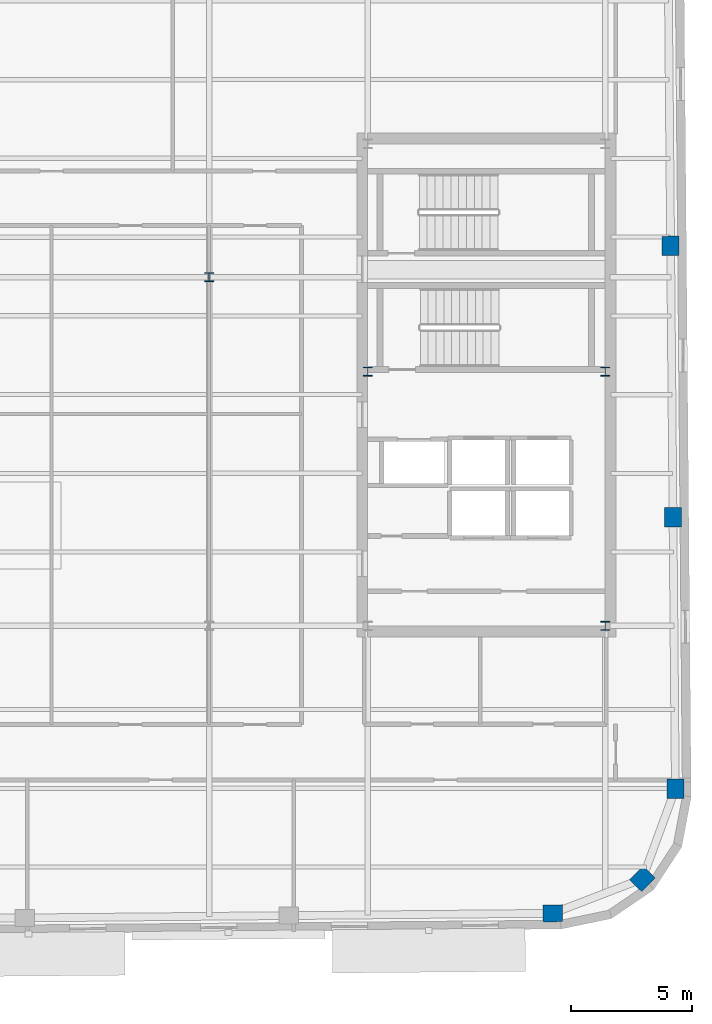
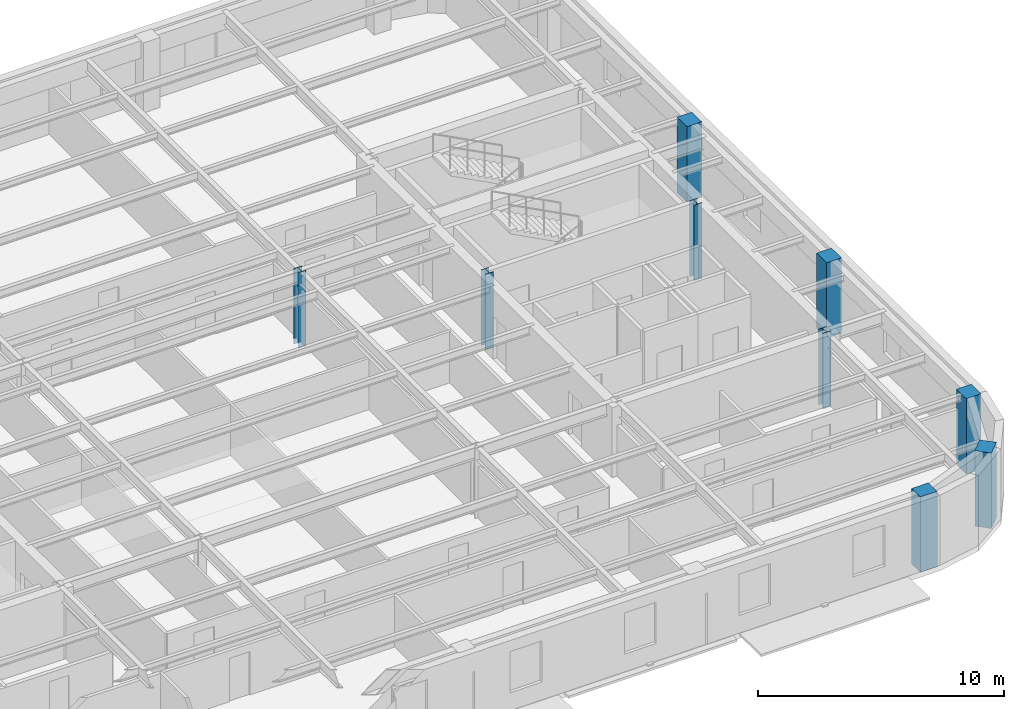
# One storey, part 2 of 14: 9 columns.
"""IFC4 building model written with IfcOpenShell, lengths in metres."""

from ifc_helpers import new_model, si_unit, direction, frame, origin, origin_2d, place, context, subcontext, project, spatial, rectangle, i_section, extrude, material, material_profile, profile_set, type_object, element, save


model = new_model("IFC4")

# Units and contexts
model_context = context("Model", 3, precision=1e-05, world=origin(), true_north=direction((0.0, 1.0)))
body_context = subcontext(model_context, "Body", "Model", "MODEL_VIEW")
ifc_project = project(units=[si_unit("LENGTHUNIT", "METRE"), si_unit("AREAUNIT", "SQUARE_METRE"), si_unit("VOLUMEUNIT", "CUBIC_METRE"), si_unit("PLANEANGLEUNIT", "RADIAN"), si_unit("MASSUNIT", "GRAM", prefix="KILO")], contexts=[model_context])

# Site, building, storey
site_placement = place(None, origin())
site = spatial("IfcSite", under=ifc_project, at=site_placement, CompositionType="ELEMENT")
building_placement = place(site_placement, origin())
building = spatial("IfcBuilding", under=site, at=building_placement, Name="Kolvaren Arena Tower", CompositionType="ELEMENT")
storey_placement = place(building_placement, frame((0.0, 0.0, 289.89990234375)))
storey = spatial("IfcBuildingStorey", under=building, at=storey_placement, Name="L71", CompositionType="ELEMENT", Elevation=289.89990234375)

# Columns
ifc_material_1 = material(Name="Precast concrete C50/60", Category="concrete")
ifc_material_profile_1 = material_profile(ifc_material_1, rectangle(XDim=0.800048828125, YDim=0.699951171875, at=origin_2d()), Name="RC-800x700")
ifc_profile_set_1 = profile_set([ifc_material_profile_1], Name="Precast concrete C50/60")
column_type_1 = type_object("IfcColumnType", Name="EXCOL-Z5", PredefinedType="COLUMN", material=ifc_profile_set_1)
for number, where, z_axis, x_axis, name in (
    (1, (58.190185546875, 7.591064453125, -0.27001953125), (0.0, 0.0, 1.0), (0.999961923064, 0.008726535498, 0.0), "Exoskeleton Perimeter Column 05 (L71)"),
    (2, (61.88671875, 9.0146484375, -0.27001953125), (0.0, 0.0, 1.0), (0.7009092643, 0.713250449154, 0.0), "Exoskeleton Perimeter Column 06 (L71)"),
    (3, (63.24560546875, 12.7353515625, -0.27001953125), (0.0, 0.0, 1.0), (-0.008726535498, 0.999961923064, 0.0), "Exoskeleton Perimeter Column 07 (L71)"),
    (4, (63.147705078125, 23.93505859375, -0.27001953125), (0.0, 0.0, 1.0), (-0.008726535498, 0.999961923064, 0.0), "Exoskeleton Perimeter Column 08 (L71)"),
    (5, (63.050048828125, 35.134521484375, -0.27001953125), (0.0, 0.0, 1.0), (-0.008726535498, 0.999961923064, 0.0), "Exoskeleton Perimeter Column 09 (L71)"),
):
    element("IfcColumn", number, at=place(storey_placement, frame(where, z_axis=z_axis, x_axis=x_axis)), inside=storey, type_object=column_type_1, Name=name, PredefinedType="COLUMN", context=body_context, shape_type="SweptSolid", body=[
        extrude(rectangle(XDim=0.800048828125, YDim=0.699951171875, at=origin_2d()), origin(), (0.0, 0.0, 1.0), 3.75),
    ])
ifc_material_2 = material(Name="Steel ASTM A913 Grade 65", Category="steel")
ifc_material_profile_2 = material_profile(ifc_material_2, i_section(OverallWidth=0.3740234375, OverallDepth=0.3720703125, WebThickness=0.016357421875, FlangeThickness=0.026123046875, FilletRadius=0.02001953125, at=origin_2d()), Name="W360x196")
ifc_profile_set_2 = profile_set([ifc_material_profile_2], Name="Steel ASTM A913 Grade 65")
column_type_2 = type_object("IfcColumnType", Name="SCOL-Z5", PredefinedType="COLUMN", material=ifc_profile_set_2)
for number, where, z_axis, x_axis, name in (
    (6, (60.35009765625, 19.449951171875, -0.27001953125), (0.0, 0.0, 1.0), (1.0, 0.0, 0.0), "Core Boundary Column EC-SE (L71)"),
    (7, (50.550048828125, 29.949951171875, -0.27001953125), (0.0, 0.0, 1.0), (1.0, 0.0, 0.0), "Core Boundary Column EC-MW (L71)"),
    (8, (60.35009765625, 29.949951171875, -0.27001953125), (0.0, 0.0, 1.0), (1.0, 0.0, 0.0), "Core Boundary Column EC-ME (L71)"),
    (9, (44.0, 33.85009765625, -0.27001953125), (0.0, 0.0, 1.0), (1.0, 0.0, 0.0), "Interior Gravity Column TC-NE (L71)"),
):
    element("IfcColumn", number, at=place(storey_placement, frame(where, z_axis=z_axis, x_axis=x_axis)), inside=storey, type_object=column_type_2, Name=name, PredefinedType="COLUMN", context=body_context, shape_type="SweptSolid", body=[
        extrude(i_section(OverallWidth=0.3740234375, OverallDepth=0.3720703125, WebThickness=0.016357421875, FlangeThickness=0.026123046875, FilletRadius=0.02001953125, at=origin_2d()), origin(), (0.0, 0.0, 1.0), 3.75),
    ])

save(model, "model.ifc")
